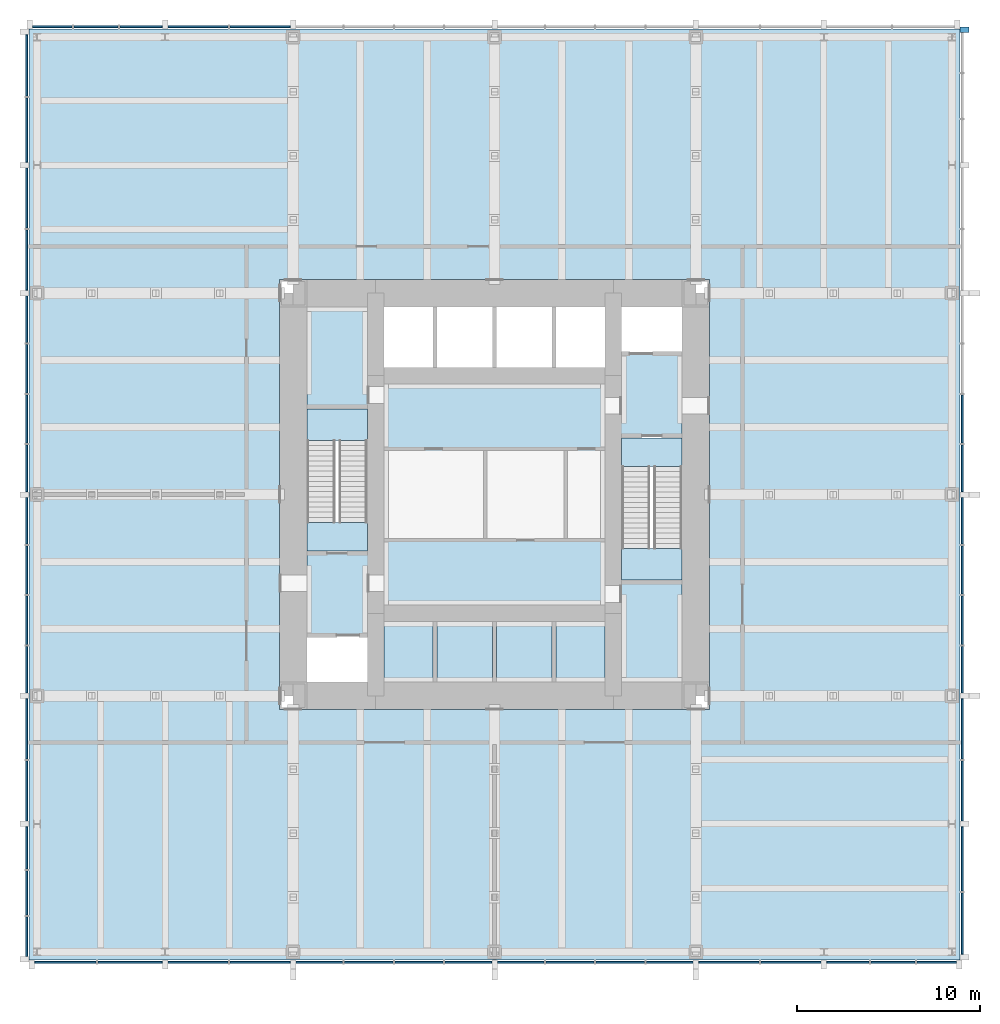
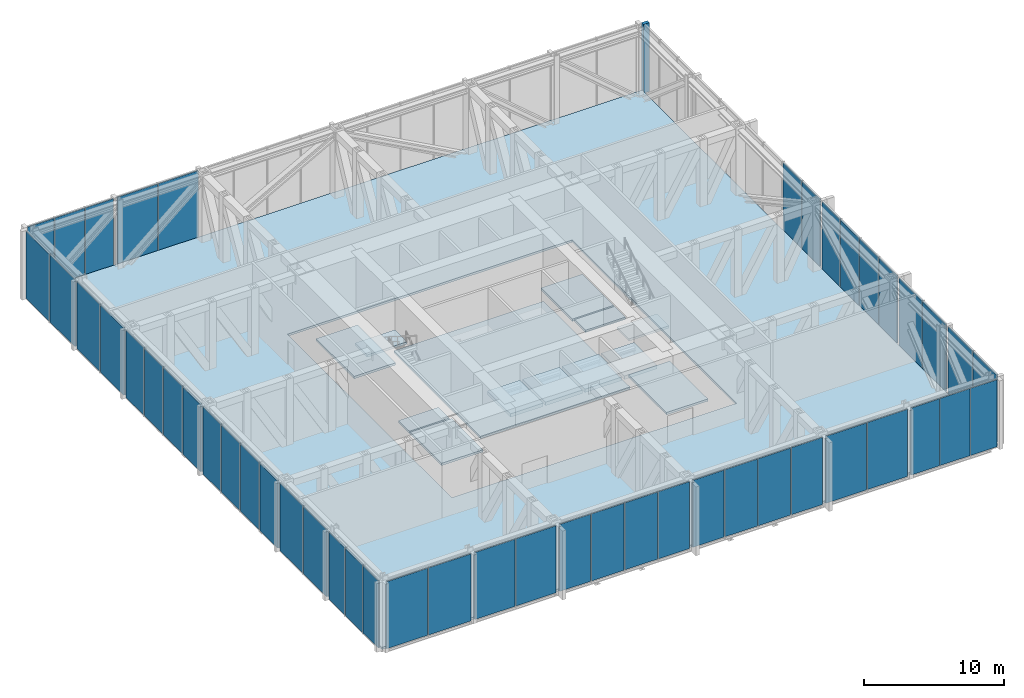
# One storey, part 10 of 13: 49 plates, 14 slabs, 1 member, 6 elements without a shape of their own.
"""IFC4 building model written with IfcOpenShell, lengths in metres."""

from ifc_helpers import new_model, si_unit, direction, frame, origin, origin_2d, place, context, subcontext, project, spatial, polyline, rectangle, outline, extrude, material, layer, layer_set, material_profile, profile_set, type_object, element, aggregate, save


model = new_model("IFC4")

# Units and contexts
model_context = context("Model", 3, precision=1e-05, world=origin(), true_north=direction((0.0, 1.0)))
body_context = subcontext(model_context, "Body", "Model", "MODEL_VIEW")
ifc_project = project(units=[si_unit("LENGTHUNIT", "METRE"), si_unit("AREAUNIT", "SQUARE_METRE"), si_unit("VOLUMEUNIT", "CUBIC_METRE"), si_unit("PLANEANGLEUNIT", "RADIAN"), si_unit("MASSUNIT", "GRAM", prefix="KILO")], contexts=[model_context])

# Site, building, storey
site_placement = place(None, origin())
site = spatial("IfcSite", under=ifc_project, at=site_placement, CompositionType="ELEMENT")
building_placement = place(site_placement, origin())
building = spatial("IfcBuilding", under=site, at=building_placement, Name="Trevanion Tower", CompositionType="ELEMENT")
storey_placement = place(building_placement, frame((0.0, 0.0, 89.800048828125)))
storey = spatial("IfcBuildingStorey", under=building, at=storey_placement, Name="L21", CompositionType="ELEMENT", Elevation=89.800048828125)

# Curtain wall, member, plates
ifc_material_1 = material(Name="Aluminium louvres", Category="aluminium")
curtain_wall_type = type_object("IfcCurtainWallType", Name="CWL curtain wall", PredefinedType="USERDEFINED", material=ifc_material_1)
curtain_wall_1_placement = place(storey_placement, origin())
curtain_wall_1 = element("IfcCurtainWall", 1, at=curtain_wall_1_placement, inside=storey, type_object=curtain_wall_type, Name="CWL L21 0", ObjectType="LOUVRE SCREEN", PredefinedType="USERDEFINED")
ifc_material_2 = material(Name="Aluminium extrusion, anodised bronze", Category="aluminium")
ifc_material_profile = material_profile(ifc_material_2, rectangle(XDim=0.300048828125, YDim=0.5, at=origin_2d()), Name="CWL pier mullion")
ifc_profile_set = profile_set([ifc_material_profile], Name="Aluminium extrusion, anodised bronze")
member_type = type_object("IfcMemberType", Name="CWL pier mullion", PredefinedType="MULLION", material=ifc_profile_set)
member_placement = place(storey_placement, frame((25.675048828125, 25.39990234375, -0.18994140625), z_axis=(0.0, 0.0, 1.0), x_axis=(0.0, 1.0, 0.0)))
member = element("IfcMember", 2, at=member_placement, type_object=member_type, Name="CWL pier mullion 18", PredefinedType="MULLION", context=body_context, shape_type="SweptSolid", body=[
    extrude(rectangle(XDim=0.300048828125, YDim=0.5, at=origin_2d()), origin(), (0.0, 0.0, 1.0), 6.0),
])
ifc_material_3 = material(Name="Aluminium louvres", Category="aluminium")
ifc_layer_1 = layer(ifc_material_3, 0.10009765625)
ifc_layer_set_1 = layer_set([ifc_layer_1], Name="CWL louvre panel")
plate_type = type_object("IfcPlateType", Name="CWL louvre panel", PredefinedType="CURTAIN_PANEL", material=ifc_layer_set_1)
plate_1_placement = place(storey_placement, frame((25.550048828125, -23.433837890625, -0.114990234375), z_axis=(0.0, 0.0, 1.0), x_axis=(0.0, 1.0, 0.0)))
plate_1 = element("IfcPlate", 3, at=plate_1_placement, type_object=plate_type, Name="CWL panel 1.1", PredefinedType="CURTAIN_PANEL", context=body_context, shape_type="SweptSolid", body=[
    extrude(rectangle(XDim=3.37255859375, YDim=0.10009765625, at=origin_2d()), origin(), (0.0, 0.0, 1.0), 5.85009765625),
])
plate_2_placement = place(storey_placement, frame((25.550048828125, -19.911376953125, -0.114990234375), z_axis=(0.0, 0.0, 1.0), x_axis=(0.0, 1.0, 0.0)))
plate_2 = element("IfcPlate", 4, at=plate_2_placement, type_object=plate_type, Name="CWL panel 2.1", PredefinedType="CURTAIN_PANEL", context=body_context, shape_type="SweptSolid", body=[
    extrude(rectangle(XDim=3.5224609375, YDim=0.10009765625, at=origin_2d()), origin(), (0.0, 0.0, 1.0), 5.85009765625),
])
plate_3_placement = place(storey_placement, frame((25.550048828125, -16.19384765625, -0.114990234375), z_axis=(0.0, 0.0, 1.0), x_axis=(0.0, 1.0, 0.0)))
plate_3 = element("IfcPlate", 5, at=plate_3_placement, type_object=plate_type, Name="CWL panel 3.1", PredefinedType="CURTAIN_PANEL", context=body_context, shape_type="SweptSolid", body=[
    extrude(rectangle(XDim=3.3125, YDim=0.10009765625, at=origin_2d()), origin(), (0.0, 0.0, 1.0), 5.85009765625),
])
plate_4_placement = place(storey_placement, frame((25.550048828125, -12.806396484375, -0.114990234375), z_axis=(0.0, 0.0, 1.0), x_axis=(0.0, 1.0, 0.0)))
plate_4 = element("IfcPlate", 6, at=plate_4_placement, type_object=plate_type, Name="CWL panel 4.1", PredefinedType="CURTAIN_PANEL", context=body_context, shape_type="SweptSolid", body=[
    extrude(rectangle(XDim=3.3125, YDim=0.10009765625, at=origin_2d()), origin(), (0.0, 0.0, 1.0), 5.85009765625),
])
plate_5_placement = place(storey_placement, frame((25.550048828125, -9.56884765625, -0.114990234375), z_axis=(0.0, 0.0, 1.0), x_axis=(0.0, 1.0, 0.0)))
plate_5 = element("IfcPlate", 7, at=plate_5_placement, type_object=plate_type, Name="CWL panel 5.1", PredefinedType="CURTAIN_PANEL", context=body_context, shape_type="SweptSolid", body=[
    extrude(rectangle(XDim=2.5625, YDim=0.10009765625, at=origin_2d()), origin(), (0.0, 0.0, 1.0), 5.85009765625),
])
plate_6_placement = place(storey_placement, frame((25.550048828125, -6.875, -0.114990234375), z_axis=(0.0, 0.0, 1.0), x_axis=(0.0, 1.0, 0.0)))
plate_6 = element("IfcPlate", 8, at=plate_6_placement, type_object=plate_type, Name="CWL panel 6.1", PredefinedType="CURTAIN_PANEL", context=body_context, shape_type="SweptSolid", body=[
    extrude(rectangle(XDim=2.675048828125, YDim=0.10009765625, at=origin_2d()), origin(), (0.0, 0.0, 1.0), 5.85009765625),
])
plate_7_placement = place(storey_placement, frame((25.550048828125, -4.125, -0.114990234375), z_axis=(0.0, 0.0, 1.0), x_axis=(0.0, 1.0, 0.0)))
plate_7 = element("IfcPlate", 9, at=plate_7_placement, type_object=plate_type, Name="CWL panel 7.1", PredefinedType="CURTAIN_PANEL", context=body_context, shape_type="SweptSolid", body=[
    extrude(rectangle(XDim=2.675048828125, YDim=0.10009765625, at=origin_2d()), origin(), (0.0, 0.0, 1.0), 5.85009765625),
])
plate_8_placement = place(storey_placement, frame((25.550048828125, -1.43115234375, -0.114990234375), z_axis=(0.0, 0.0, 1.0), x_axis=(0.0, 1.0, 0.0)))
plate_8 = element("IfcPlate", 10, at=plate_8_placement, type_object=plate_type, Name="CWL panel 8.1", PredefinedType="CURTAIN_PANEL", context=body_context, shape_type="SweptSolid", body=[
    extrude(rectangle(XDim=2.5625, YDim=0.10009765625, at=origin_2d()), origin(), (0.0, 0.0, 1.0), 5.85009765625),
])
plate_9_placement = place(storey_placement, frame((25.550048828125, 1.43115234375, -0.114990234375), z_axis=(0.0, 0.0, 1.0), x_axis=(0.0, 1.0, 0.0)))
plate_9 = element("IfcPlate", 11, at=plate_9_placement, type_object=plate_type, Name="CWL panel 9.1", PredefinedType="CURTAIN_PANEL", context=body_context, shape_type="SweptSolid", body=[
    extrude(rectangle(XDim=2.5625, YDim=0.10009765625, at=origin_2d()), origin(), (0.0, 0.0, 1.0), 5.85009765625),
])
plate_10_placement = place(storey_placement, frame((25.550048828125, 4.125, -0.114990234375), z_axis=(0.0, 0.0, 1.0), x_axis=(0.0, 1.0, 0.0)))
plate_10 = element("IfcPlate", 12, at=plate_10_placement, type_object=plate_type, Name="CWL panel 10.1", PredefinedType="CURTAIN_PANEL", context=body_context, shape_type="SweptSolid", body=[
    extrude(rectangle(XDim=2.675048828125, YDim=0.10009765625, at=origin_2d()), origin(), (0.0, 0.0, 1.0), 5.85009765625),
])
aggregate(curtain_wall_1, [member, plate_1, plate_2, plate_3, plate_4, plate_5, plate_6, plate_7, plate_8, plate_9, plate_10])

# Curtain wall, plates
curtain_wall_2_placement = place(storey_placement, origin())
curtain_wall_2 = element("IfcCurtainWall", 13, at=curtain_wall_2_placement, inside=storey, type_object=curtain_wall_type, Name="CWL L21 1", ObjectType="LOUVRE SCREEN", PredefinedType="USERDEFINED")
plate_11_placement = place(storey_placement, frame((-12.80615234375, 25.550048828125, -0.114990234375), z_axis=(0.0, 0.0, 1.0), x_axis=(-1.0, 0.0, 0.0)))
plate_11 = element("IfcPlate", 14, at=plate_11_placement, type_object=plate_type, Name="CWL panel 13.1", PredefinedType="CURTAIN_PANEL", context=body_context, shape_type="SweptSolid", body=[
    extrude(rectangle(XDim=3.3125, YDim=0.10009765625, at=origin_2d()), origin(), (0.0, 0.0, 1.0), 5.85009765625),
])
plate_12_placement = place(storey_placement, frame((-16.19384765625, 25.550048828125, -0.114990234375), z_axis=(0.0, 0.0, 1.0), x_axis=(-1.0, 0.0, 0.0)))
plate_12 = element("IfcPlate", 15, at=plate_12_placement, type_object=plate_type, Name="CWL panel 14.1", PredefinedType="CURTAIN_PANEL", context=body_context, shape_type="SweptSolid", body=[
    extrude(rectangle(XDim=3.3125, YDim=0.10009765625, at=origin_2d()), origin(), (0.0, 0.0, 1.0), 5.85009765625),
])
plate_13_placement = place(storey_placement, frame((-19.314697265625, 25.550048828125, -0.114990234375), z_axis=(0.0, 0.0, 1.0), x_axis=(-1.0, 0.0, 0.0)))
plate_13 = element("IfcPlate", 16, at=plate_13_placement, type_object=plate_type, Name="CWL panel 15.1", PredefinedType="CURTAIN_PANEL", context=body_context, shape_type="SweptSolid", body=[
    extrude(rectangle(XDim=2.3291015625, YDim=0.10009765625, at=origin_2d()), origin(), (0.0, 0.0, 1.0), 5.85009765625),
])
plate_14_placement = place(storey_placement, frame((-21.77490234375, 25.550048828125, -0.114990234375), z_axis=(0.0, 0.0, 1.0), x_axis=(-1.0, 0.0, 0.0)))
plate_14 = element("IfcPlate", 17, at=plate_14_placement, type_object=plate_type, Name="CWL panel 16.1", PredefinedType="CURTAIN_PANEL", context=body_context, shape_type="SweptSolid", body=[
    extrude(rectangle(XDim=2.441650390625, YDim=0.10009765625, at=origin_2d()), origin(), (0.0, 0.0, 1.0), 5.85009765625),
])
plate_15_placement = place(storey_placement, frame((-24.160400390625, 25.550048828125, -0.114990234375), z_axis=(0.0, 0.0, 1.0), x_axis=(-1.0, 0.0, 0.0)))
plate_15 = element("IfcPlate", 18, at=plate_15_placement, type_object=plate_type, Name="CWL panel 17.1", PredefinedType="CURTAIN_PANEL", context=body_context, shape_type="SweptSolid", body=[
    extrude(rectangle(XDim=2.17919921875, YDim=0.10009765625, at=origin_2d()), origin(), (0.0, 0.0, 1.0), 5.85009765625),
])
aggregate(curtain_wall_2, [plate_11, plate_12, plate_13, plate_14, plate_15])

curtain_wall_3_placement = place(storey_placement, origin())
curtain_wall_3 = element("IfcCurtainWall", 19, at=curtain_wall_3_placement, inside=storey, type_object=curtain_wall_type, Name="CWL L21 2", ObjectType="LOUVRE SCREEN", PredefinedType="USERDEFINED")
plate_16_placement = place(storey_placement, frame((-25.550048828125, 23.433837890625, -0.114990234375), z_axis=(0.0, 0.0, 1.0), x_axis=(0.0, -1.0, 0.0)))
plate_16 = element("IfcPlate", 20, at=plate_16_placement, type_object=plate_type, Name="CWL panel 1.1", PredefinedType="CURTAIN_PANEL", context=body_context, shape_type="SweptSolid", body=[
    extrude(rectangle(XDim=3.37255859375, YDim=0.10009765625, at=origin_2d()), origin(), (0.0, 0.0, 1.0), 5.85009765625),
])
plate_17_placement = place(storey_placement, frame((-25.550048828125, 19.911376953125, -0.114990234375), z_axis=(0.0, 0.0, 1.0), x_axis=(0.0, -1.0, 0.0)))
plate_17 = element("IfcPlate", 21, at=plate_17_placement, type_object=plate_type, Name="CWL panel 2.1", PredefinedType="CURTAIN_PANEL", context=body_context, shape_type="SweptSolid", body=[
    extrude(rectangle(XDim=3.5224609375, YDim=0.10009765625, at=origin_2d()), origin(), (0.0, 0.0, 1.0), 5.85009765625),
])
plate_18_placement = place(storey_placement, frame((-25.550048828125, 16.19384765625, -0.114990234375), z_axis=(0.0, 0.0, 1.0), x_axis=(0.0, -1.0, 0.0)))
plate_18 = element("IfcPlate", 22, at=plate_18_placement, type_object=plate_type, Name="CWL panel 3.1", PredefinedType="CURTAIN_PANEL", context=body_context, shape_type="SweptSolid", body=[
    extrude(rectangle(XDim=3.3125, YDim=0.10009765625, at=origin_2d()), origin(), (0.0, 0.0, 1.0), 5.85009765625),
])
plate_19_placement = place(storey_placement, frame((-25.550048828125, 12.806396484375, -0.114990234375), z_axis=(0.0, 0.0, 1.0), x_axis=(0.0, -1.0, 0.0)))
plate_19 = element("IfcPlate", 23, at=plate_19_placement, type_object=plate_type, Name="CWL panel 4.1", PredefinedType="CURTAIN_PANEL", context=body_context, shape_type="SweptSolid", body=[
    extrude(rectangle(XDim=3.3125, YDim=0.10009765625, at=origin_2d()), origin(), (0.0, 0.0, 1.0), 5.85009765625),
])
plate_20_placement = place(storey_placement, frame((-25.550048828125, 9.56884765625, -0.114990234375), z_axis=(0.0, 0.0, 1.0), x_axis=(0.0, -1.0, 0.0)))
plate_20 = element("IfcPlate", 24, at=plate_20_placement, type_object=plate_type, Name="CWL panel 5.1", PredefinedType="CURTAIN_PANEL", context=body_context, shape_type="SweptSolid", body=[
    extrude(rectangle(XDim=2.5625, YDim=0.10009765625, at=origin_2d()), origin(), (0.0, 0.0, 1.0), 5.85009765625),
])
plate_21_placement = place(storey_placement, frame((-25.550048828125, 6.875, -0.114990234375), z_axis=(0.0, 0.0, 1.0), x_axis=(0.0, -1.0, 0.0)))
plate_21 = element("IfcPlate", 25, at=plate_21_placement, type_object=plate_type, Name="CWL panel 6.1", PredefinedType="CURTAIN_PANEL", context=body_context, shape_type="SweptSolid", body=[
    extrude(rectangle(XDim=2.675048828125, YDim=0.10009765625, at=origin_2d()), origin(), (0.0, 0.0, 1.0), 5.85009765625),
])
plate_22_placement = place(storey_placement, frame((-25.550048828125, 4.125, -0.114990234375), z_axis=(0.0, 0.0, 1.0), x_axis=(0.0, -1.0, 0.0)))
plate_22 = element("IfcPlate", 26, at=plate_22_placement, type_object=plate_type, Name="CWL panel 7.1", PredefinedType="CURTAIN_PANEL", context=body_context, shape_type="SweptSolid", body=[
    extrude(rectangle(XDim=2.675048828125, YDim=0.10009765625, at=origin_2d()), origin(), (0.0, 0.0, 1.0), 5.85009765625),
])
plate_23_placement = place(storey_placement, frame((-25.550048828125, 1.43115234375, -0.114990234375), z_axis=(0.0, 0.0, 1.0), x_axis=(0.0, -1.0, 0.0)))
plate_23 = element("IfcPlate", 27, at=plate_23_placement, type_object=plate_type, Name="CWL panel 8.1", PredefinedType="CURTAIN_PANEL", context=body_context, shape_type="SweptSolid", body=[
    extrude(rectangle(XDim=2.5625, YDim=0.10009765625, at=origin_2d()), origin(), (0.0, 0.0, 1.0), 5.85009765625),
])
plate_24_placement = place(storey_placement, frame((-25.550048828125, -1.43115234375, -0.114990234375), z_axis=(0.0, 0.0, 1.0), x_axis=(0.0, -1.0, 0.0)))
plate_24 = element("IfcPlate", 28, at=plate_24_placement, type_object=plate_type, Name="CWL panel 9.1", PredefinedType="CURTAIN_PANEL", context=body_context, shape_type="SweptSolid", body=[
    extrude(rectangle(XDim=2.5625, YDim=0.10009765625, at=origin_2d()), origin(), (0.0, 0.0, 1.0), 5.85009765625),
])
plate_25_placement = place(storey_placement, frame((-25.550048828125, -4.125, -0.114990234375), z_axis=(0.0, 0.0, 1.0), x_axis=(0.0, -1.0, 0.0)))
plate_25 = element("IfcPlate", 29, at=plate_25_placement, type_object=plate_type, Name="CWL panel 10.1", PredefinedType="CURTAIN_PANEL", context=body_context, shape_type="SweptSolid", body=[
    extrude(rectangle(XDim=2.675048828125, YDim=0.10009765625, at=origin_2d()), origin(), (0.0, 0.0, 1.0), 5.85009765625),
])
plate_26_placement = place(storey_placement, frame((-25.550048828125, -6.875, -0.114990234375), z_axis=(0.0, 0.0, 1.0), x_axis=(0.0, -1.0, 0.0)))
plate_26 = element("IfcPlate", 30, at=plate_26_placement, type_object=plate_type, Name="CWL panel 11.1", PredefinedType="CURTAIN_PANEL", context=body_context, shape_type="SweptSolid", body=[
    extrude(rectangle(XDim=2.675048828125, YDim=0.10009765625, at=origin_2d()), origin(), (0.0, 0.0, 1.0), 5.85009765625),
])
plate_27_placement = place(storey_placement, frame((-25.550048828125, -9.56884765625, -0.114990234375), z_axis=(0.0, 0.0, 1.0), x_axis=(0.0, -1.0, 0.0)))
plate_27 = element("IfcPlate", 31, at=plate_27_placement, type_object=plate_type, Name="CWL panel 12.1", PredefinedType="CURTAIN_PANEL", context=body_context, shape_type="SweptSolid", body=[
    extrude(rectangle(XDim=2.5625, YDim=0.10009765625, at=origin_2d()), origin(), (0.0, 0.0, 1.0), 5.85009765625),
])
plate_28_placement = place(storey_placement, frame((-25.550048828125, -12.80615234375, -0.114990234375), z_axis=(0.0, 0.0, 1.0), x_axis=(0.0, -1.0, 0.0)))
plate_28 = element("IfcPlate", 32, at=plate_28_placement, type_object=plate_type, Name="CWL panel 13.1", PredefinedType="CURTAIN_PANEL", context=body_context, shape_type="SweptSolid", body=[
    extrude(rectangle(XDim=3.3125, YDim=0.10009765625, at=origin_2d()), origin(), (0.0, 0.0, 1.0), 5.85009765625),
])
plate_29_placement = place(storey_placement, frame((-25.550048828125, -16.19384765625, -0.114990234375), z_axis=(0.0, 0.0, 1.0), x_axis=(0.0, -1.0, 0.0)))
plate_29 = element("IfcPlate", 33, at=plate_29_placement, type_object=plate_type, Name="CWL panel 14.1", PredefinedType="CURTAIN_PANEL", context=body_context, shape_type="SweptSolid", body=[
    extrude(rectangle(XDim=3.3125, YDim=0.10009765625, at=origin_2d()), origin(), (0.0, 0.0, 1.0), 5.85009765625),
])
plate_30_placement = place(storey_placement, frame((-25.550048828125, -19.314697265625, -0.114990234375), z_axis=(0.0, 0.0, 1.0), x_axis=(0.0, -1.0, 0.0)))
plate_30 = element("IfcPlate", 34, at=plate_30_placement, type_object=plate_type, Name="CWL panel 15.1", PredefinedType="CURTAIN_PANEL", context=body_context, shape_type="SweptSolid", body=[
    extrude(rectangle(XDim=2.3291015625, YDim=0.10009765625, at=origin_2d()), origin(), (0.0, 0.0, 1.0), 5.85009765625),
])
plate_31_placement = place(storey_placement, frame((-25.550048828125, -21.77490234375, -0.114990234375), z_axis=(0.0, 0.0, 1.0), x_axis=(0.0, -1.0, 0.0)))
plate_31 = element("IfcPlate", 35, at=plate_31_placement, type_object=plate_type, Name="CWL panel 16.1", PredefinedType="CURTAIN_PANEL", context=body_context, shape_type="SweptSolid", body=[
    extrude(rectangle(XDim=2.441650390625, YDim=0.10009765625, at=origin_2d()), origin(), (0.0, 0.0, 1.0), 5.85009765625),
])
plate_32_placement = place(storey_placement, frame((-25.550048828125, -24.160400390625, -0.114990234375), z_axis=(0.0, 0.0, 1.0), x_axis=(0.0, -1.0, 0.0)))
plate_32 = element("IfcPlate", 36, at=plate_32_placement, type_object=plate_type, Name="CWL panel 17.1", PredefinedType="CURTAIN_PANEL", context=body_context, shape_type="SweptSolid", body=[
    extrude(rectangle(XDim=2.17919921875, YDim=0.10009765625, at=origin_2d()), origin(), (0.0, 0.0, 1.0), 5.85009765625),
])
aggregate(curtain_wall_3, [plate_16, plate_17, plate_18, plate_19, plate_20, plate_21, plate_22, plate_23, plate_24, plate_25, plate_26, plate_27, plate_28, plate_29, plate_30, plate_31, plate_32])

curtain_wall_4_placement = place(storey_placement, origin())
curtain_wall_4 = element("IfcCurtainWall", 37, at=curtain_wall_4_placement, inside=storey, type_object=curtain_wall_type, Name="CWL L21 3", ObjectType="LOUVRE SCREEN", PredefinedType="USERDEFINED")
plate_33_placement = place(storey_placement, frame((-23.433837890625, -25.550048828125, -0.114990234375), z_axis=(0.0, 0.0, 1.0), x_axis=(1.0, 0.0, 0.0)))
plate_33 = element("IfcPlate", 38, at=plate_33_placement, type_object=plate_type, Name="CWL panel 1.1", PredefinedType="CURTAIN_PANEL", context=body_context, shape_type="SweptSolid", body=[
    extrude(rectangle(XDim=3.37255859375, YDim=0.10009765625, at=origin_2d()), origin(), (0.0, 0.0, 1.0), 5.85009765625),
])
plate_34_placement = place(storey_placement, frame((-19.911376953125, -25.550048828125, -0.114990234375), z_axis=(0.0, 0.0, 1.0), x_axis=(1.0, 0.0, 0.0)))
plate_34 = element("IfcPlate", 39, at=plate_34_placement, type_object=plate_type, Name="CWL panel 2.1", PredefinedType="CURTAIN_PANEL", context=body_context, shape_type="SweptSolid", body=[
    extrude(rectangle(XDim=3.5224609375, YDim=0.10009765625, at=origin_2d()), origin(), (0.0, 0.0, 1.0), 5.85009765625),
])
plate_35_placement = place(storey_placement, frame((-16.19384765625, -25.550048828125, -0.114990234375), z_axis=(0.0, 0.0, 1.0), x_axis=(1.0, 0.0, 0.0)))
plate_35 = element("IfcPlate", 40, at=plate_35_placement, type_object=plate_type, Name="CWL panel 3.1", PredefinedType="CURTAIN_PANEL", context=body_context, shape_type="SweptSolid", body=[
    extrude(rectangle(XDim=3.3125, YDim=0.10009765625, at=origin_2d()), origin(), (0.0, 0.0, 1.0), 5.85009765625),
])
plate_36_placement = place(storey_placement, frame((-12.806396484375, -25.550048828125, -0.114990234375), z_axis=(0.0, 0.0, 1.0), x_axis=(1.0, 0.0, 0.0)))
plate_36 = element("IfcPlate", 41, at=plate_36_placement, type_object=plate_type, Name="CWL panel 4.1", PredefinedType="CURTAIN_PANEL", context=body_context, shape_type="SweptSolid", body=[
    extrude(rectangle(XDim=3.3125, YDim=0.10009765625, at=origin_2d()), origin(), (0.0, 0.0, 1.0), 5.85009765625),
])
plate_37_placement = place(storey_placement, frame((-9.56884765625, -25.550048828125, -0.114990234375), z_axis=(0.0, 0.0, 1.0), x_axis=(1.0, 0.0, 0.0)))
plate_37 = element("IfcPlate", 42, at=plate_37_placement, type_object=plate_type, Name="CWL panel 5.1", PredefinedType="CURTAIN_PANEL", context=body_context, shape_type="SweptSolid", body=[
    extrude(rectangle(XDim=2.5625, YDim=0.10009765625, at=origin_2d()), origin(), (0.0, 0.0, 1.0), 5.85009765625),
])
plate_38_placement = place(storey_placement, frame((-6.875, -25.550048828125, -0.114990234375), z_axis=(0.0, 0.0, 1.0), x_axis=(1.0, 0.0, 0.0)))
plate_38 = element("IfcPlate", 43, at=plate_38_placement, type_object=plate_type, Name="CWL panel 6.1", PredefinedType="CURTAIN_PANEL", context=body_context, shape_type="SweptSolid", body=[
    extrude(rectangle(XDim=2.675048828125, YDim=0.10009765625, at=origin_2d()), origin(), (0.0, 0.0, 1.0), 5.85009765625),
])
plate_39_placement = place(storey_placement, frame((-4.125, -25.550048828125, -0.114990234375), z_axis=(0.0, 0.0, 1.0), x_axis=(1.0, 0.0, 0.0)))
plate_39 = element("IfcPlate", 44, at=plate_39_placement, type_object=plate_type, Name="CWL panel 7.1", PredefinedType="CURTAIN_PANEL", context=body_context, shape_type="SweptSolid", body=[
    extrude(rectangle(XDim=2.675048828125, YDim=0.10009765625, at=origin_2d()), origin(), (0.0, 0.0, 1.0), 5.85009765625),
])
plate_40_placement = place(storey_placement, frame((-1.43115234375, -25.550048828125, -0.114990234375), z_axis=(0.0, 0.0, 1.0), x_axis=(1.0, 0.0, 0.0)))
plate_40 = element("IfcPlate", 45, at=plate_40_placement, type_object=plate_type, Name="CWL panel 8.1", PredefinedType="CURTAIN_PANEL", context=body_context, shape_type="SweptSolid", body=[
    extrude(rectangle(XDim=2.5625, YDim=0.10009765625, at=origin_2d()), origin(), (0.0, 0.0, 1.0), 5.85009765625),
])
plate_41_placement = place(storey_placement, frame((1.43115234375, -25.550048828125, -0.114990234375), z_axis=(0.0, 0.0, 1.0), x_axis=(1.0, 0.0, 0.0)))
plate_41 = element("IfcPlate", 46, at=plate_41_placement, type_object=plate_type, Name="CWL panel 9.1", PredefinedType="CURTAIN_PANEL", context=body_context, shape_type="SweptSolid", body=[
    extrude(rectangle(XDim=2.5625, YDim=0.10009765625, at=origin_2d()), origin(), (0.0, 0.0, 1.0), 5.85009765625),
])
plate_42_placement = place(storey_placement, frame((4.125, -25.550048828125, -0.114990234375), z_axis=(0.0, 0.0, 1.0), x_axis=(1.0, 0.0, 0.0)))
plate_42 = element("IfcPlate", 47, at=plate_42_placement, type_object=plate_type, Name="CWL panel 10.1", PredefinedType="CURTAIN_PANEL", context=body_context, shape_type="SweptSolid", body=[
    extrude(rectangle(XDim=2.675048828125, YDim=0.10009765625, at=origin_2d()), origin(), (0.0, 0.0, 1.0), 5.85009765625),
])
plate_43_placement = place(storey_placement, frame((6.875, -25.550048828125, -0.114990234375), z_axis=(0.0, 0.0, 1.0), x_axis=(1.0, 0.0, 0.0)))
plate_43 = element("IfcPlate", 48, at=plate_43_placement, type_object=plate_type, Name="CWL panel 11.1", PredefinedType="CURTAIN_PANEL", context=body_context, shape_type="SweptSolid", body=[
    extrude(rectangle(XDim=2.675048828125, YDim=0.10009765625, at=origin_2d()), origin(), (0.0, 0.0, 1.0), 5.85009765625),
])
plate_44_placement = place(storey_placement, frame((9.56884765625, -25.550048828125, -0.114990234375), z_axis=(0.0, 0.0, 1.0), x_axis=(1.0, 0.0, 0.0)))
plate_44 = element("IfcPlate", 49, at=plate_44_placement, type_object=plate_type, Name="CWL panel 12.1", PredefinedType="CURTAIN_PANEL", context=body_context, shape_type="SweptSolid", body=[
    extrude(rectangle(XDim=2.5625, YDim=0.10009765625, at=origin_2d()), origin(), (0.0, 0.0, 1.0), 5.85009765625),
])
plate_45_placement = place(storey_placement, frame((12.80615234375, -25.550048828125, -0.114990234375), z_axis=(0.0, 0.0, 1.0), x_axis=(1.0, 0.0, 0.0)))
plate_45 = element("IfcPlate", 50, at=plate_45_placement, type_object=plate_type, Name="CWL panel 13.1", PredefinedType="CURTAIN_PANEL", context=body_context, shape_type="SweptSolid", body=[
    extrude(rectangle(XDim=3.3125, YDim=0.10009765625, at=origin_2d()), origin(), (0.0, 0.0, 1.0), 5.85009765625),
])
plate_46_placement = place(storey_placement, frame((16.19384765625, -25.550048828125, -0.114990234375), z_axis=(0.0, 0.0, 1.0), x_axis=(1.0, 0.0, 0.0)))
plate_46 = element("IfcPlate", 51, at=plate_46_placement, type_object=plate_type, Name="CWL panel 14.1", PredefinedType="CURTAIN_PANEL", context=body_context, shape_type="SweptSolid", body=[
    extrude(rectangle(XDim=3.3125, YDim=0.10009765625, at=origin_2d()), origin(), (0.0, 0.0, 1.0), 5.85009765625),
])
plate_47_placement = place(storey_placement, frame((19.314697265625, -25.550048828125, -0.114990234375), z_axis=(0.0, 0.0, 1.0), x_axis=(1.0, 0.0, 0.0)))
plate_47 = element("IfcPlate", 52, at=plate_47_placement, type_object=plate_type, Name="CWL panel 15.1", PredefinedType="CURTAIN_PANEL", context=body_context, shape_type="SweptSolid", body=[
    extrude(rectangle(XDim=2.3291015625, YDim=0.10009765625, at=origin_2d()), origin(), (0.0, 0.0, 1.0), 5.85009765625),
])
plate_48_placement = place(storey_placement, frame((21.77490234375, -25.550048828125, -0.114990234375), z_axis=(0.0, 0.0, 1.0), x_axis=(1.0, 0.0, 0.0)))
plate_48 = element("IfcPlate", 53, at=plate_48_placement, type_object=plate_type, Name="CWL panel 16.1", PredefinedType="CURTAIN_PANEL", context=body_context, shape_type="SweptSolid", body=[
    extrude(rectangle(XDim=2.441650390625, YDim=0.10009765625, at=origin_2d()), origin(), (0.0, 0.0, 1.0), 5.85009765625),
])
plate_49_placement = place(storey_placement, frame((24.160400390625, -25.550048828125, -0.114990234375), z_axis=(0.0, 0.0, 1.0), x_axis=(1.0, 0.0, 0.0)))
plate_49 = element("IfcPlate", 54, at=plate_49_placement, type_object=plate_type, Name="CWL panel 17.1", PredefinedType="CURTAIN_PANEL", context=body_context, shape_type="SweptSolid", body=[
    extrude(rectangle(XDim=2.17919921875, YDim=0.10009765625, at=origin_2d()), origin(), (0.0, 0.0, 1.0), 5.85009765625),
])
aggregate(curtain_wall_4, [plate_33, plate_34, plate_35, plate_36, plate_37, plate_38, plate_39, plate_40, plate_41, plate_42, plate_43, plate_44, plate_45, plate_46, plate_47, plate_48, plate_49])

# Slabs
ifc_material_4 = material(Name="Concrete 5,000 psi on composite metal deck", Category="concrete")
ifc_layer_2 = layer(ifc_material_4, 0.18994140625)
ifc_layer_set_2 = layer_set([ifc_layer_2], Name="SL1 composite floor 190")
slab_type_1 = type_object("IfcSlabType", Name="SL1 composite floor 190", PredefinedType="FLOOR", material=ifc_layer_set_2)
slab_1_placement = place(storey_placement, frame((0.0, 0.0, -0.18994140625)))
element("IfcSlab", 55, at=slab_1_placement, inside=storey, type_object=slab_type_1, Name="SL1 L21 floor", PredefinedType="FLOOR", context=body_context, shape_type="SweptSolid", body=[
    extrude(outline(polyline([(25.419921875, -25.419921875), (25.419921875, 25.419921875), (-25.419921875, 25.419921875), (-25.419921875, -25.419921875), (25.419921875, -25.419921875)]), holes=[polyline([(11.75, -11.75), (11.75, 11.75), (-11.75, 11.75), (-11.75, -11.75), (11.75, -11.75)])]), origin(), (0.0, 0.0, 1.0), 0.18994140625),
])
ifc_material_5 = material(Name="Concrete 5,000 psi", Category="concrete")
ifc_layer_3 = layer(ifc_material_5, 0.199951171875)
ifc_layer_set_3 = layer_set([ifc_layer_3], Name="SL2 core floor 200")
slab_type_2 = type_object("IfcSlabType", Name="SL2 core floor 200", PredefinedType="FLOOR", material=ifc_layer_set_3)
slab_2_placement = place(storey_placement, frame((0.0, 0.0, -0.199951171875)))
element("IfcSlab", 56, at=slab_2_placement, inside=storey, type_object=slab_type_2, Name="SL2 L21 core floor 1", PredefinedType="FLOOR", context=body_context, shape_type="SweptSolid", body=[
    extrude(outline(polyline([(10.25, -4.804931640625), (10.25, -10.25), (6.830078125, -10.25), (6.830078125, -4.804931640625), (10.25, -4.804931640625)])), origin(), (0.0, 0.0, 1.0), 0.199951171875),
])
slab_3_placement = place(storey_placement, frame((0.0, 0.0, -0.199951171875)))
element("IfcSlab", 57, at=slab_3_placement, inside=storey, type_object=slab_type_2, Name="SL2 L21 core floor 2", PredefinedType="FLOOR", context=body_context, shape_type="SweptSolid", body=[
    extrude(outline(polyline([(-6.830078125, -3.205078125), (-6.830078125, -7.695068359375), (-10.25, -7.695068359375), (-10.25, -3.205078125), (-6.830078125, -3.205078125)])), origin(), (0.0, 0.0, 1.0), 0.199951171875),
])
slab_4_placement = place(storey_placement, frame((0.0, 0.0, -0.199951171875)))
element("IfcSlab", 58, at=slab_4_placement, inside=storey, type_object=slab_type_2, Name="SL2 L21 core floor 3", PredefinedType="FLOOR", context=body_context, shape_type="SweptSolid", body=[
    extrude(outline(polyline([(6.169921875, -6.169921875), (-6.169921875, -6.169921875), (-6.169921875, 6.169921875), (6.169921875, 6.169921875), (6.169921875, -6.169921875)])), origin(), (0.0, 0.0, 1.0), 0.199951171875),
])
slab_5_placement = place(storey_placement, frame((0.0, 0.0, -0.199951171875)))
element("IfcSlab", 59, at=slab_5_placement, inside=storey, type_object=slab_type_2, Name="SL2 L21 core floor 4", PredefinedType="FLOOR", context=body_context, shape_type="SweptSolid", body=[
    extrude(outline(polyline([(6.830078125, 3.205078125), (6.830078125, 7.695068359375), (10.25, 7.695068359375), (10.25, 3.205078125), (6.830078125, 3.205078125)])), origin(), (0.0, 0.0, 1.0), 0.199951171875),
])
slab_6_placement = place(storey_placement, frame((0.0, 0.0, -0.199951171875)))
element("IfcSlab", 60, at=slab_6_placement, inside=storey, type_object=slab_type_2, Name="SL2 L21 core floor 5", PredefinedType="FLOOR", context=body_context, shape_type="SweptSolid", body=[
    extrude(outline(polyline([(-6.830078125, 4.804931640625), (-10.25, 4.804931640625), (-10.25, 10.25), (-6.830078125, 10.25), (-6.830078125, 4.804931640625)])), origin(), (0.0, 0.0, 1.0), 0.199951171875),
])
ifc_material_6 = material(Name="Concrete 5,000 psi", Category="concrete")
ifc_layer_4 = layer(ifc_material_6, 0.300048828125)
ifc_layer_set_4 = layer_set([ifc_layer_4], Name="SL3 lift pit slab 300")
slab_type_3 = type_object("IfcSlabType", Name="SL3 lift pit slab 300", PredefinedType="FLOOR", material=ifc_layer_set_4)
slab_7_placement = place(storey_placement, frame((0.0, 0.0, 4.099853515625)))
element("IfcSlab", 61, at=slab_7_placement, inside=storey, type_object=slab_type_3, Name="SL3 lift pit slab C1", PredefinedType="FLOOR", context=body_context, shape_type="SweptSolid", body=[
    extrude(outline(polyline([(-6.050048828125, -10.25), (-3.35009765625, -10.25), (-3.35009765625, -6.949951171875), (-6.050048828125, -6.949951171875), (-6.050048828125, -10.25)])), origin(), (0.0, 0.0, 1.0), 0.300048828125),
])
slab_8_placement = place(storey_placement, frame((0.0, 0.0, 4.099853515625)))
element("IfcSlab", 62, at=slab_8_placement, inside=storey, type_object=slab_type_3, Name="SL3 lift pit slab C2", PredefinedType="FLOOR", context=body_context, shape_type="SweptSolid", body=[
    extrude(outline(polyline([(-3.14990234375, -10.25), (-0.10009765625, -10.25), (-0.10009765625, -6.949951171875), (-3.14990234375, -6.949951171875), (-3.14990234375, -10.25)])), origin(), (0.0, 0.0, 1.0), 0.300048828125),
])
slab_9_placement = place(storey_placement, frame((0.0, 0.0, 4.099853515625)))
element("IfcSlab", 63, at=slab_9_placement, inside=storey, type_object=slab_type_3, Name="SL3 lift pit slab C3", PredefinedType="FLOOR", context=body_context, shape_type="SweptSolid", body=[
    extrude(outline(polyline([(0.10009765625, -10.25), (3.14990234375, -10.25), (3.14990234375, -6.949951171875), (0.10009765625, -6.949951171875), (0.10009765625, -10.25)])), origin(), (0.0, 0.0, 1.0), 0.300048828125),
])
slab_10_placement = place(storey_placement, frame((0.0, 0.0, 4.099853515625)))
element("IfcSlab", 64, at=slab_10_placement, inside=storey, type_object=slab_type_3, Name="SL3 lift pit slab C4", PredefinedType="FLOOR", context=body_context, shape_type="SweptSolid", body=[
    extrude(outline(polyline([(3.35009765625, -10.25), (6.050048828125, -10.25), (6.050048828125, -6.949951171875), (3.35009765625, -6.949951171875), (3.35009765625, -10.25)])), origin(), (0.0, 0.0, 1.0), 0.300048828125),
])

# Stair, slabs
ifc_material_7 = material(Name="Concrete 5,000 psi on steel stringers", Category="concrete")
stair_type = type_object("IfcStairType", Name="ST stair", PredefinedType="HALF_TURN_STAIR", material=ifc_material_7)
stair_1_placement = place(storey_placement, origin())
stair_1 = element("IfcStair", 65, at=stair_1_placement, inside=storey, type_object=stair_type, Name="ST1 L21", PredefinedType="HALF_TURN_STAIR")
ifc_material_8 = material(Name="Concrete 5,000 psi in steel pan", Category="concrete")
ifc_layer_5 = layer(ifc_material_8, 0.199951171875)
ifc_layer_set_5 = layer_set([ifc_layer_5], Name="STL stair landing 200")
slab_type_4 = type_object("IfcSlabType", Name="STL stair landing 200", PredefinedType="LANDING", material=ifc_layer_set_5)
slab_11_placement = place(storey_placement, frame((0.0, 0.0, -0.199951171875)))
slab_11 = element("IfcSlab", 66, at=slab_11_placement, type_object=slab_type_4, Name="ST1 landing 1", PredefinedType="LANDING", context=body_context, shape_type="SweptSolid", body=[
    extrude(outline(polyline([(6.949951171875, 1.52490234375), (10.25, 1.52490234375), (10.25, 3.074951171875), (6.949951171875, 3.074951171875), (6.949951171875, 1.52490234375)])), origin(), (0.0, 0.0, 1.0), 0.199951171875),
])
slab_12_placement = place(storey_placement, frame((0.0, 0.0, 2.800048828125)))
slab_12 = element("IfcSlab", 67, at=slab_12_placement, type_object=slab_type_4, Name="ST1 landing 2", PredefinedType="LANDING", context=body_context, shape_type="SweptSolid", body=[
    extrude(outline(polyline([(6.949951171875, -4.675048828125), (10.25, -4.675048828125), (10.25, -2.955078125), (6.949951171875, -2.955078125), (6.949951171875, -4.675048828125)])), origin(), (0.0, 0.0, 1.0), 0.199951171875),
])
aggregate(stair_1, [slab_11, slab_12])

stair_2_placement = place(storey_placement, origin())
stair_2 = element("IfcStair", 68, at=stair_2_placement, inside=storey, type_object=stair_type, Name="ST2 L21", PredefinedType="HALF_TURN_STAIR")
slab_13_placement = place(storey_placement, frame((0.0, 0.0, -0.199951171875)))
slab_13 = element("IfcSlab", 69, at=slab_13_placement, type_object=slab_type_4, Name="ST2 landing 1", PredefinedType="LANDING", context=body_context, shape_type="SweptSolid", body=[
    extrude(outline(polyline([(-6.949951171875, -1.52490234375), (-10.25, -1.52490234375), (-10.25, -3.074951171875), (-6.949951171875, -3.074951171875), (-6.949951171875, -1.52490234375)])), origin(), (0.0, 0.0, 1.0), 0.199951171875),
])
slab_14_placement = place(storey_placement, frame((0.0, 0.0, 2.800048828125)))
slab_14 = element("IfcSlab", 70, at=slab_14_placement, type_object=slab_type_4, Name="ST2 landing 2", PredefinedType="LANDING", context=body_context, shape_type="SweptSolid", body=[
    extrude(outline(polyline([(-6.949951171875, 4.675048828125), (-10.25, 4.675048828125), (-10.25, 2.955078125), (-6.949951171875, 2.955078125), (-6.949951171875, 4.675048828125)])), origin(), (0.0, 0.0, 1.0), 0.199951171875),
])
aggregate(stair_2, [slab_13, slab_14])

save(model, "model.ifc")
